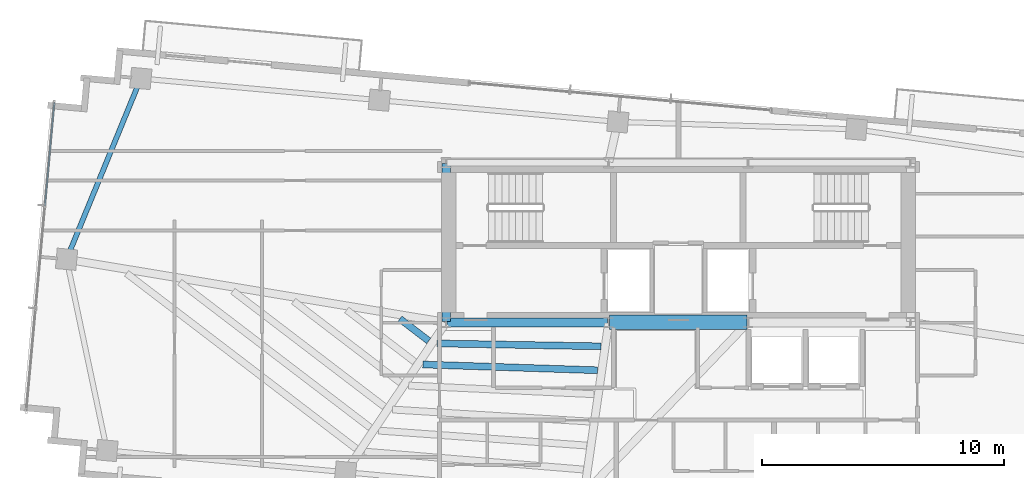
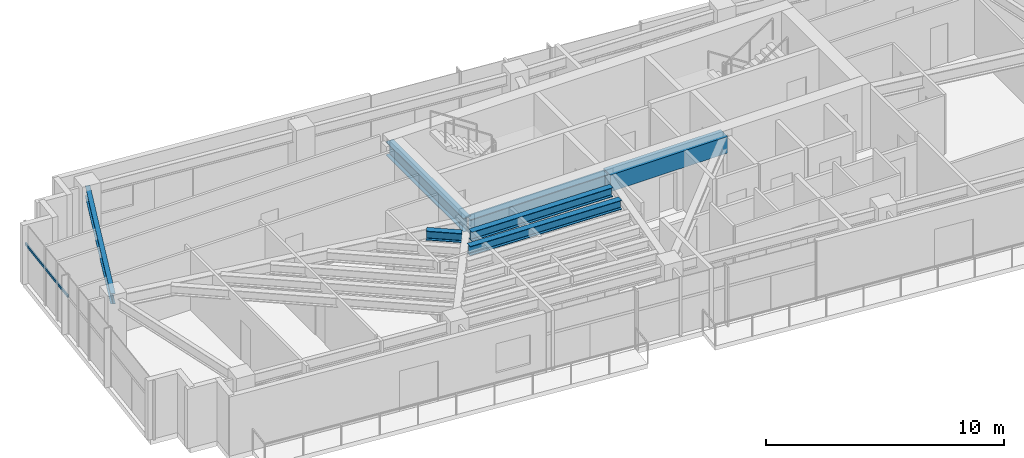
# One storey, part 8 of 22: 7 beams, 1 member, 1 element without a shape of its own.
"""IFC4 building model written with IfcOpenShell, lengths in metres."""

import ifcopenshell
import ifcopenshell.guid

model = None  # the IFC model being written
_history = None  # IfcOwnerHistory: only IFC2X3 demands one
_inside = {}  # id of a spatial element -> (the spatial element, [elements in it])
_under = {}  # id of a project, library or spatial element -> (it, [spatial elements below it])
_declared = {}  # id of a project -> (the project, [libraries it declares])
_typed = {}  # id of a type object -> (the type object, [elements of that type])
_made_of = {}  # id of a material, layer set ... -> (it, [elements and type objects made of it])


def new_model(schema):
    """Start an empty IFC model of exactly this schema.

    Asked for "IFC4X3", IfcOpenShell would pick the latest addendum, in which some entities
    have other attributes; the version numbers below select the first issue.
    IFC2X3 requires an IfcOwnerHistory on every rooted entity: one is made here for all.
    """
    global model, _history
    if schema == "IFC4X3":
        model = ifcopenshell.file(schema_version=(4, 3, 0, 0))
    else:
        model = ifcopenshell.file(schema=schema)
    _inside.clear()
    _under.clear()
    _declared.clear()
    _typed.clear()
    _made_of.clear()
    _history = None
    if model.schema == "IFC2X3":
        org = make("IfcOrganization", Name="unknown")
        user = make(
            "IfcPersonAndOrganization",
            ThePerson=make("IfcPerson", FamilyName="unknown"),
            TheOrganization=org,
        )
        app = make(
            "IfcApplication",
            ApplicationDeveloper=org,
            Version="unknown",
            ApplicationFullName="unknown",
            ApplicationIdentifier="unknown",
        )
        _history = make(
            "IfcOwnerHistory",
            OwningUser=user,
            OwningApplication=app,
            ChangeAction="ADDED",
            CreationDate=0,
        )
    return model


def make(cls, **values):
    """One entity of the class cls with the attributes given. An attribute that is None is left unset."""
    return model.create_entity(
        cls, **{name: value for name, value in values.items() if value is not None}
    )


def rooted(cls, **values):
    """An entity with a GlobalId (a new one), such as an element, a storey or a relation."""
    return make(cls, GlobalId=ifcopenshell.guid.new(), OwnerHistory=_history, **values)


def si_unit(unit_type, name, prefix=None):
    """IfcSIUnit, for example si_unit("LENGTHUNIT", "METRE", prefix="MILLI")."""
    return make("IfcSIUnit", UnitType=unit_type, Prefix=prefix, Name=name)


def assignment(units):
    """IfcUnitAssignment: the units of a project."""
    return None if units is None else make("IfcUnitAssignment", Units=units)


def point(xyz):
    """IfcCartesianPoint."""
    return None if xyz is None else make("IfcCartesianPoint", Coordinates=xyz)


def direction(xyz):
    """IfcDirection."""
    return None if xyz is None else make("IfcDirection", DirectionRatios=xyz)


def frame(location, z_axis=None, x_axis=None):
    """IfcAxis2Placement3D, a coordinate frame: its origin and axes. An axis left out is left unset."""
    return make(
        "IfcAxis2Placement3D",
        Location=point(location),
        Axis=direction(z_axis),
        RefDirection=direction(x_axis),
    )


def frame_2d(location, x_axis=None):
    """IfcAxis2Placement2D, a coordinate frame in the plane: its origin and x axis."""
    return make(
        "IfcAxis2Placement2D", Location=point(location), RefDirection=direction(x_axis)
    )


def origin():
    """The frame at (0, 0, 0) with its axes left unset."""
    return frame((0.0, 0.0, 0.0))


def origin_2d():
    """The frame at (0, 0) in the plane with its x axis left unset."""
    return frame_2d((0.0, 0.0))


def place(relative_to, where):
    """IfcLocalPlacement: puts the frame where relative to a parent placement (None: the world)."""
    return make(
        "IfcLocalPlacement", PlacementRelTo=relative_to, RelativePlacement=where
    )


def context(
    kind, dimensions, precision=None, world=None, true_north=None, identifier=None
):
    """IfcGeometricRepresentationContext, for example the 3D "Model" context."""
    return make(
        "IfcGeometricRepresentationContext",
        ContextIdentifier=identifier,
        ContextType=kind,
        CoordinateSpaceDimension=dimensions,
        Precision=precision,
        WorldCoordinateSystem=world,
        TrueNorth=true_north,
    )


def subcontext(parent, identifier, kind, view, scale=None):
    """IfcGeometricRepresentationSubContext, for example "Body" below "Model"."""
    return make(
        "IfcGeometricRepresentationSubContext",
        ContextIdentifier=identifier,
        ContextType=kind,
        ParentContext=parent,
        TargetScale=scale,
        TargetView=view,
    )


def project(units=None, contexts=None):
    """IfcProject with its units and contexts."""
    return rooted(
        "IfcProject",
        Name="project",
        RepresentationContexts=contexts,
        UnitsInContext=assignment(units),
    )


def spatial(cls, under=None, at=None, **own):
    """A site, building, storey or space (cls), placed at a placement, below another one or the project."""
    s = rooted(cls, ObjectPlacement=at, **own)
    if under is not None:
        _under.setdefault(under.id(), (under, []))[1].append(s)
    return s


def profile(cls, at=None, kind="AREA", **sizes):
    """A parametric profile (cls). Its sizes go by their IFC names, for example OverallWidth=200.0."""
    return make(cls, ProfileType=kind, Position=at, **sizes)


def rectangle(**sizes):
    """IfcRectangleProfileDef."""
    return profile("IfcRectangleProfileDef", **sizes)


def hollow_rectangle(**sizes):
    """IfcRectangleHollowProfileDef."""
    return profile("IfcRectangleHollowProfileDef", **sizes)


def i_section(**sizes):
    """IfcIShapeProfileDef."""
    return profile("IfcIShapeProfileDef", **sizes)


def extrude(swept, where, along, depth):
    """IfcExtrudedAreaSolid: the profile swept, set in the frame where, extruded along a direction by depth."""
    return make(
        "IfcExtrudedAreaSolid",
        SweptArea=swept,
        Position=where,
        ExtrudedDirection=direction(along),
        Depth=depth,
    )


def shape(context_of_items, identifier, shape_type, items):
    """IfcShapeRepresentation: the items that make up one representation, for example the "Body"."""
    return make(
        "IfcShapeRepresentation",
        ContextOfItems=context_of_items,
        RepresentationIdentifier=identifier,
        RepresentationType=shape_type,
        Items=items,
    )


def source(mapping_origin, context_of_items, identifier, shape_type, items):
    """IfcRepresentationMap: a shape defined once, which mapped items show again and again."""
    return make(
        "IfcRepresentationMap",
        MappingOrigin=mapping_origin,
        MappedRepresentation=shape(context_of_items, identifier, shape_type, items),
    )


def transform(
    local_origin,
    x_axis=None,
    y_axis=None,
    z_axis=None,
    scale=None,
    scale2=None,
    scale3=None,
    uniform=True,
):
    """IfcCartesianTransformationOperator3D, or its non-uniform kind. x_axis, y_axis, z_axis: its Axis1, 2, 3."""
    if uniform:
        return make(
            "IfcCartesianTransformationOperator3D",
            Axis1=direction(x_axis),
            Axis2=direction(y_axis),
            LocalOrigin=point(local_origin),
            Scale=scale,
            Axis3=direction(z_axis),
        )
    return make(
        "IfcCartesianTransformationOperator3DnonUniform",
        Axis1=direction(x_axis),
        Axis2=direction(y_axis),
        LocalOrigin=point(local_origin),
        Scale=scale,
        Axis3=direction(z_axis),
        Scale2=scale2,
        Scale3=scale3,
    )


def mapped(mapping_source, mapping_target):
    """IfcMappedItem: shows the shape of a source again, moved by a transform."""
    return make(
        "IfcMappedItem", MappingSource=mapping_source, MappingTarget=mapping_target
    )


def material(Name=None, Category=None):
    """IfcMaterial."""
    return make("IfcMaterial", Name=Name, Category=Category)


def material_profile(
    of_material, cross_section, Name=None, Category=None, Priority=None
):
    """IfcMaterialProfile: a cross section and its material."""
    return make(
        "IfcMaterialProfile",
        Name=Name,
        Material=of_material,
        Profile=cross_section,
        Priority=Priority,
        Category=Category,
    )


def profile_set(profiles, Name=None, composite=None):
    """IfcMaterialProfileSet."""
    return make(
        "IfcMaterialProfileSet",
        Name=Name,
        MaterialProfiles=profiles,
        CompositeProfile=composite,
    )


def made_of(thing, what):
    """Note that an element or type object is made of a material, layer set ...; save() writes the relation."""
    if what is not None:
        _made_of.setdefault(what.id(), (what, []))[1].append(thing)
    return thing


def type_object(cls, material=None, **own):
    """A type object (cls), such as IfcWallType, which elements share."""
    return made_of(rooted(cls, **own), material)


def type_shapes(of_type, sources):
    """Give a type object the sources (RepresentationMaps) that its elements show as mapped items."""
    of_type.RepresentationMaps = sources


def element(
    cls,
    number,
    at=None,
    inside=None,
    cuts=None,
    type_object=None,
    material=None,
    context=None,
    identifier="Body",
    shape_type=None,
    held_by="IfcProductDefinitionShape",
    body=None,
    shapes=None,
    **own,
):
    """One element of the class cls, such as IfcWall. Its Tag is "e" and its number.

    at: its placement. inside: the storey or other place that contains it. cuts: it is an
    opening in that element (IfcRelVoidsElement). A single representation is given by context,
    identifier, shape_type and body (its items); several are given by shapes. held_by: the class
    of the entity that holds the representations. save() writes the other relations.
    """
    e = rooted(cls, Tag="e%d" % number, ObjectPlacement=at, **own)
    if body is not None:
        shapes = [shape(context, identifier, shape_type, body)]
    if shapes is not None:
        e.Representation = make(held_by, Representations=shapes)
    if inside is not None:
        _inside.setdefault(inside.id(), (inside, []))[1].append(e)
    if cuts is not None:
        rooted(
            "IfcRelVoidsElement", RelatingBuildingElement=cuts, RelatedOpeningElement=e
        )
    if type_object is not None:
        _typed.setdefault(type_object.id(), (type_object, []))[1].append(e)
    return made_of(e, material)


def aggregate(whole, parts):
    """IfcRelAggregates: a whole, such as a stair, and the parts it consists of."""
    return rooted("IfcRelAggregates", RelatingObject=whole, RelatedObjects=parts)


def save(model, path):
    """Write the relations noted so far, then the file.

    IfcRelAggregates (storeys below a building ...), IfcRelContainedInSpatialStructure (elements
    in a storey), IfcRelDefinesByType, IfcRelAssociatesMaterial and IfcRelDeclares: one each for
    every whole, place, type object, material and project.
    """
    for whole, parts in _under.values():
        aggregate(whole, parts)
    for where, things in _inside.values():
        rooted(
            "IfcRelContainedInSpatialStructure",
            RelatedElements=things,
            RelatingStructure=where,
        )
    for kind, things in _typed.values():
        rooted("IfcRelDefinesByType", RelatedObjects=things, RelatingType=kind)
    for what, things in _made_of.values():
        rooted("IfcRelAssociatesMaterial", RelatedObjects=things, RelatingMaterial=what)
    for by, libraries in _declared.values():
        rooted("IfcRelDeclares", RelatingContext=by, RelatedDefinitions=libraries)
    model.write(path)


model = new_model("IFC4")

# Units and contexts
model_context = context("Model", 3, precision=1e-05, world=origin(), true_north=direction((0.0, 1.0)))
body_context = subcontext(model_context, "Body", "Model", "MODEL_VIEW")
ifc_project = project(units=[si_unit("LENGTHUNIT", "METRE"), si_unit("AREAUNIT", "SQUARE_METRE"), si_unit("VOLUMEUNIT", "CUBIC_METRE"), si_unit("PLANEANGLEUNIT", "RADIAN"), si_unit("MASSUNIT", "GRAM", prefix="KILO")], contexts=[model_context])

# Site, building, storey
site_placement = place(None, origin())
site = spatial("IfcSite", under=ifc_project, at=site_placement, CompositionType="ELEMENT")
building_placement = place(site_placement, origin())
building = spatial("IfcBuilding", under=site, at=building_placement, Name="Astriad Promenade Condominiums", CompositionType="ELEMENT")
storey_placement = place(building_placement, frame((0.0, 0.0, 243.0)))
storey = spatial("IfcBuildingStorey", under=building, at=storey_placement, Name="L70", CompositionType="ELEMENT", Elevation=243.0)

# Beams
ifc_material_1 = material(Name="Steel ASTM A992 Grade 50", Category="steel")
ifc_material_profile_1 = material_profile(ifc_material_1, i_section(OverallWidth=0.3837890625, OverallDepth=0.785888671875, WebThickness=0.019775390625, FlangeThickness=0.033447265625, FilletRadius=0.021484375, at=origin_2d()), Name="W30X211")
ifc_profile_set_1 = profile_set([ifc_material_profile_1], Name="Steel ASTM A992 Grade 50")
beam_type_1 = type_object("IfcBeamType", Name="STEEL FLOOR GIRDER W30X211", PredefinedType="BEAM", material=ifc_profile_set_1)
shared_shape_1 = source(origin(), body_context, "Body", "SweptSolid", [
    extrude(i_section(OverallWidth=0.3837890625, OverallDepth=0.785888671875, WebThickness=0.019775390625, FlangeThickness=0.033447265625, FilletRadius=0.021484375, at=origin_2d()), origin(), (0.0, 0.0, 1.0), 6.64013671875),
])
type_shapes(beam_type_1, [shared_shape_1])
beam_1_placement = place(storey_placement, frame((26.43994140625, 17.39990234375, 2.64697265625), z_axis=(1.0, 0.0, 0.0), x_axis=(0.0, 1.0, 0.0)))
element("IfcBeam", 1, at=beam_1_placement, inside=storey, type_object=beam_type_1, Name="Core Ring Beam CG-S1-L70", PredefinedType="BEAM", context=body_context, shape_type="MappedRepresentation", body=[
    mapped(shared_shape_1, transform((0.0, 0.0, 0.0), scale=1.0)),
])
ifc_material_profile_2 = material_profile(ifc_material_1, i_section(OverallWidth=0.35791015625, OverallDepth=0.706298828125, WebThickness=0.018310546875, FlangeThickness=0.0302734375, FilletRadius=0.020263671875, at=origin_2d()), Name="W27X178")
ifc_profile_set_2 = profile_set([ifc_material_profile_2], Name="Steel ASTM A992 Grade 50")
beam_type_2 = type_object("IfcBeamType", Name="STEEL FLOOR GIRDER W27X178", PredefinedType="BEAM", material=ifc_profile_set_2)
shared_shape_2 = source(origin(), body_context, "Body", "SweptSolid", [
    extrude(i_section(OverallWidth=0.35791015625, OverallDepth=0.706298828125, WebThickness=0.018310546875, FlangeThickness=0.0302734375, FilletRadius=0.020263671875, at=origin_2d()), origin(), (0.0, 0.0, 1.0), 6.52001953125),
])
type_shapes(beam_type_2, [shared_shape_2])
beam_2_placement = place(storey_placement, frame((26.39990234375, 17.43994140625, 2.686767578125), z_axis=(0.0, 1.0, 0.0), x_axis=(-1.0, 0.0, 0.0)))
element("IfcBeam", 2, at=beam_2_placement, inside=storey, type_object=beam_type_2, Name="Core Ring Beam CG-W1-L70", PredefinedType="BEAM", context=body_context, shape_type="MappedRepresentation", body=[
    mapped(shared_shape_2, transform((0.0, 0.0, 0.0), scale=1.0)),
])
ifc_material_2 = material(Name="Concrete C60/75", Category="concrete")
ifc_material_profile_3 = material_profile(ifc_material_2, rectangle(XDim=0.60009765625, YDim=0.85009765625, at=origin_2d()), Name="RC-BM-600X850")
ifc_profile_set_3 = profile_set([ifc_material_profile_3], Name="Concrete C60/75")
beam_type_3 = type_object("IfcBeamType", Name="CONCRETE CORE COUPLING LINTEL 600X850", PredefinedType="LINTEL", material=ifc_profile_set_3)
shared_shape_3 = source(origin(), body_context, "Body", "SweptSolid", [
    extrude(rectangle(XDim=0.60009765625, YDim=0.85009765625, at=origin_2d()), origin(), (0.0, 0.0, 1.0), 5.68017578125),
])
type_shapes(beam_type_3, [shared_shape_3])
beam_3_placement = place(storey_placement, frame((33.159912109375, 17.39990234375, 2.614990234375), z_axis=(1.0, 0.0, 0.0), x_axis=(0.0, 1.0, 0.0)))
element("IfcBeam", 3, at=beam_3_placement, inside=storey, type_object=beam_type_3, Name="Core Ring Beam CG-S2-L70", PredefinedType="LINTEL", context=body_context, shape_type="MappedRepresentation", body=[
    mapped(shared_shape_3, transform((0.0, 0.0, 0.0), scale=1.0)),
])
ifc_material_profile_4 = material_profile(ifc_material_1, i_section(OverallWidth=0.210693359375, OverallDepth=0.53955078125, WebThickness=0.01171875, FlangeThickness=0.018798828125, FilletRadius=0.0166015625, at=origin_2d()), Name="W21X73")
ifc_profile_set_4 = profile_set([ifc_material_profile_4], Name="Steel ASTM A992 Grade 50")
beam_type_4 = type_object("IfcBeamType", Name="STEEL SPANDREL BEAM W21X73", PredefinedType="SPANDREL", material=ifc_profile_set_4)
shared_shape_4 = source(origin(), body_context, "Body", "SweptSolid", [
    extrude(i_section(OverallWidth=0.210693359375, OverallDepth=0.53955078125, WebThickness=0.01171875, FlangeThickness=0.018798828125, FilletRadius=0.0166015625, at=origin_2d()), origin(), (0.0, 0.0, 1.0), 7.998779296875),
])
type_shapes(beam_type_4, [shared_shape_4])
beam_4_placement = place(storey_placement, frame((13.76611328125, 27.44580078125, 2.770263671875), z_axis=(-0.38000513148, -0.924984378273, 0.0), x_axis=(0.924984378273, -0.38000513148, 0.0)))
element("IfcBeam", 4, at=beam_4_placement, inside=storey, type_object=beam_type_4, Name="Perimeter Spandrel Beam SP-W2-L70", PredefinedType="SPANDREL", context=body_context, shape_type="MappedRepresentation", body=[
    mapped(shared_shape_4, transform((0.0, 0.0, 0.0), scale=1.0)),
])
ifc_material_profile_5 = material_profile(ifc_material_1, i_section(OverallWidth=0.283203125, OverallDepth=0.47216796875, WebThickness=0.013671875, FlangeThickness=0.022216796875, FilletRadius=0.01513671875, at=origin_2d()), Name="W18X97")
ifc_profile_set_5 = profile_set([ifc_material_profile_5], Name="Steel ASTM A992 Grade 50")
beam_type_5 = type_object("IfcBeamType", Name="STEEL FLOOR JOIST W18X97", PredefinedType="JOIST", material=ifc_profile_set_5)
shared_shape_5 = source(origin(), body_context, "Body", "SweptSolid", [
    extrude(i_section(OverallWidth=0.283203125, OverallDepth=0.47216796875, WebThickness=0.013671875, FlangeThickness=0.022216796875, FilletRadius=0.01513671875, at=origin_2d()), origin(), (0.0, 0.0, 1.0), 1.497314453125),
])
beam_5_placement = place(storey_placement, frame((24.489501953125, 17.547119140625, 2.803955078125), z_axis=(0.79482500583, -0.606838701887, 0.0), x_axis=(0.606838701887, 0.79482500583, 0.0)))
element("IfcBeam", 5, at=beam_5_placement, inside=storey, type_object=beam_type_5, Name="Secondary Composite Floor Joist JW1-6-L70", PredefinedType="JOIST", context=body_context, shape_type="MappedRepresentation", body=[
    mapped(shared_shape_5, transform((0.0, 0.0, 0.0), scale=1.0)),
])
shared_shape_6 = source(origin(), body_context, "Body", "SweptSolid", [
    extrude(i_section(OverallWidth=0.283203125, OverallDepth=0.47216796875, WebThickness=0.013671875, FlangeThickness=0.022216796875, FilletRadius=0.01513671875, at=origin_2d()), origin(), (0.0, 0.0, 1.0), 7.226318359375),
])
beam_6_placement = place(storey_placement, frame((25.43798828125, 15.659912109375, 2.803955078125), z_axis=(0.999453981353, -0.033041476313, 0.0), x_axis=(0.033041476313, 0.999453981353, 0.0)))
element("IfcBeam", 6, at=beam_6_placement, inside=storey, type_object=beam_type_5, Name="Secondary Composite Floor Joist JCW-5-L70", PredefinedType="JOIST", context=body_context, shape_type="MappedRepresentation", body=[
    mapped(shared_shape_6, transform((0.0, 0.0, 0.0), scale=1.0)),
])
shared_shape_7 = source(origin(), body_context, "Body", "SweptSolid", [
    extrude(i_section(OverallWidth=0.283203125, OverallDepth=0.47216796875, WebThickness=0.013671875, FlangeThickness=0.022216796875, FilletRadius=0.01513671875, at=origin_2d()), origin(), (0.0, 0.0, 1.0), 6.781494140625),
])
type_shapes(beam_type_5, [shared_shape_5, shared_shape_6, shared_shape_7])
beam_7_placement = place(storey_placement, frame((26.022216796875, 16.52978515625, 2.803955078125), z_axis=(0.999845665325, -0.017568310398, 0.0), x_axis=(0.017568310398, 0.999845665325, 0.0)))
element("IfcBeam", 7, at=beam_7_placement, inside=storey, type_object=beam_type_5, Name="Secondary Composite Floor Joist JCW-6-L70", PredefinedType="JOIST", context=body_context, shape_type="MappedRepresentation", body=[
    mapped(shared_shape_7, transform((0.0, 0.0, 0.0), scale=1.0)),
])

# Curtain wall, member
ifc_material_3 = material(Name="Anodised aluminium Black Dark Glass Unitised", Category="aluminium")
curtain_wall_type = type_object("IfcCurtainWallType", Name="CW-B5-DARK", PredefinedType="USERDEFINED", material=ifc_material_3)
curtain_wall_placement = place(storey_placement, origin())
curtain_wall = element("IfcCurtainWall", 8, at=curtain_wall_placement, inside=storey, type_object=curtain_wall_type, Name="CW-L70-W", ObjectType="UNITISED_CURTAIN_WALL", PredefinedType="USERDEFINED")
ifc_material_4 = material(Name="Anodised aluminium 6063-T6 Black", Category="aluminium")
ifc_material_profile_6 = material_profile(ifc_material_4, hollow_rectangle(XDim=0.06494140625, YDim=0.1298828125, WallThickness=0.00390625, at=origin_2d()), Name="ALU-TRN-65X130")
ifc_profile_set_6 = profile_set([ifc_material_profile_6], Name="Anodised aluminium 6063-T6 Black")
member_type = type_object("IfcMemberType", Name="TRN-ALU-TRN-65X130", PredefinedType="USERDEFINED", material=ifc_profile_set_6)
shared_shape_8 = source(origin(), body_context, "Body", "SweptSolid", [
    extrude(hollow_rectangle(XDim=0.06494140625, YDim=0.1298828125, WallThickness=0.00390625, at=origin_2d()), origin(), (0.0, 0.0, 1.0), 4.2666015625),
])
type_shapes(member_type, [shared_shape_8])
member_placement = place(storey_placement, frame((9.819091796875, 22.233642578125, 1.884765625), z_axis=(0.090638931954, 0.99588382054, 0.0), x_axis=(-0.99588382054, 0.090638931954, 0.0)))
member = element("IfcMember", 9, at=member_placement, type_object=member_type, Name="CW-L70-W-TRN-02-0", ObjectType="TRANSOM", PredefinedType="USERDEFINED", context=body_context, shape_type="MappedRepresentation", body=[
    mapped(shared_shape_8, transform((0.0, 0.0, 0.0), scale=1.0)),
])
aggregate(curtain_wall, [member])

save(model, "model.ifc")
